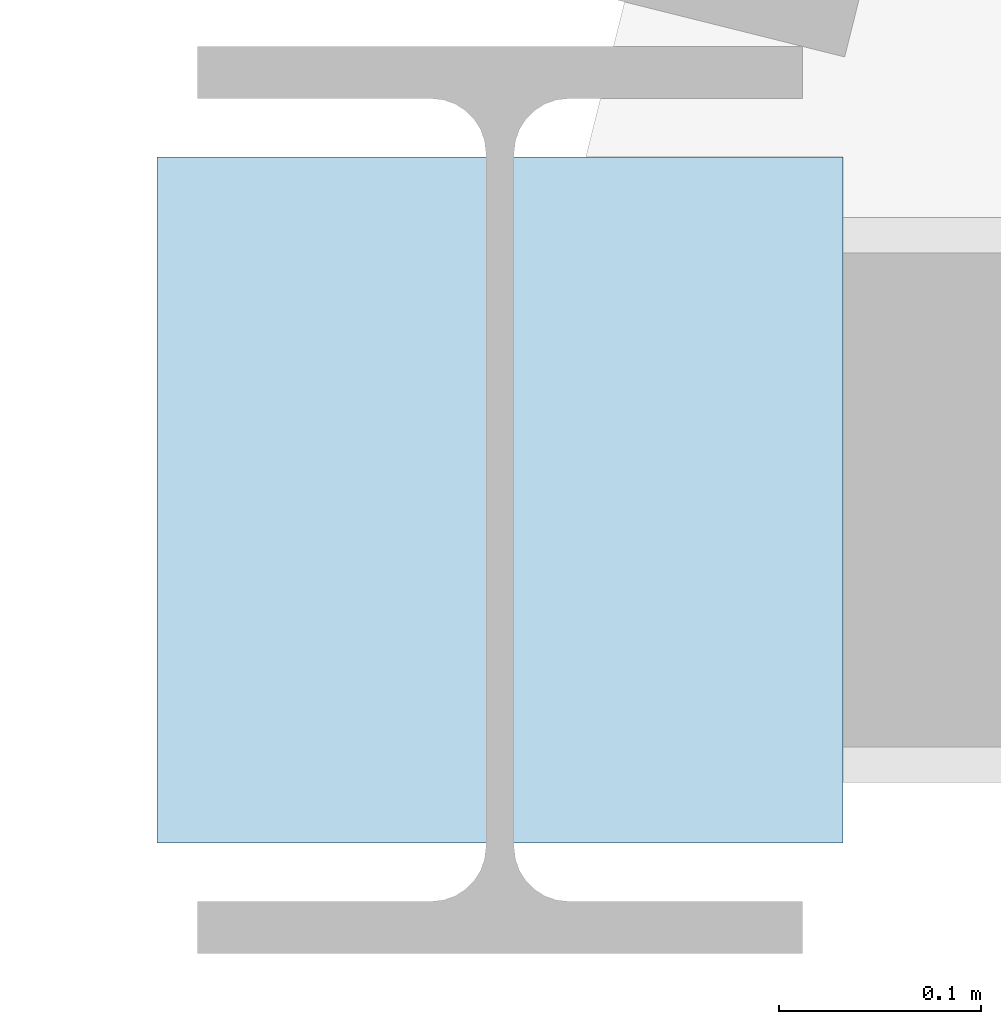
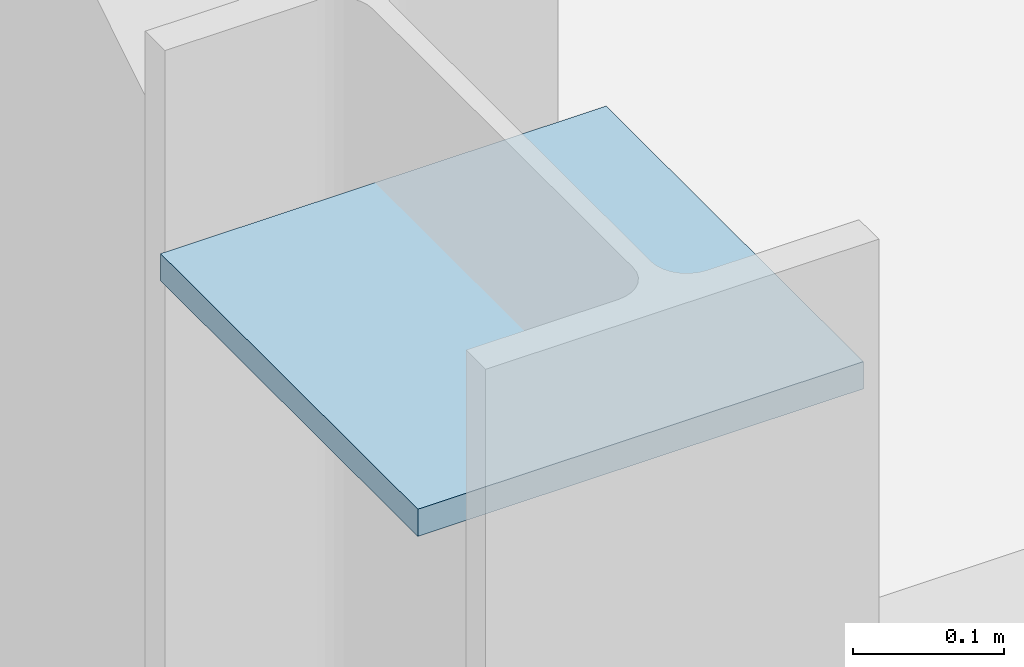
# One storey, part 77 of 103: 1 plate.
"""IFC4 building model written with IfcOpenShell, lengths in metres."""

import ifcopenshell
import ifcopenshell.guid

model = None  # the IFC model being written
_history = None  # IfcOwnerHistory: only IFC2X3 demands one
_inside = {}  # id of a spatial element -> (the spatial element, [elements in it])
_under = {}  # id of a project, library or spatial element -> (it, [spatial elements below it])
_declared = {}  # id of a project -> (the project, [libraries it declares])
_typed = {}  # id of a type object -> (the type object, [elements of that type])
_made_of = {}  # id of a material, layer set ... -> (it, [elements and type objects made of it])


def new_model(schema):
    """Start an empty IFC model of exactly this schema.

    Asked for "IFC4X3", IfcOpenShell would pick the latest addendum, in which some entities
    have other attributes; the version numbers below select the first issue.
    IFC2X3 requires an IfcOwnerHistory on every rooted entity: one is made here for all.
    """
    global model, _history
    if schema == "IFC4X3":
        model = ifcopenshell.file(schema_version=(4, 3, 0, 0))
    else:
        model = ifcopenshell.file(schema=schema)
    _inside.clear()
    _under.clear()
    _declared.clear()
    _typed.clear()
    _made_of.clear()
    _history = None
    if model.schema == "IFC2X3":
        org = make("IfcOrganization", Name="unknown")
        user = make(
            "IfcPersonAndOrganization",
            ThePerson=make("IfcPerson", FamilyName="unknown"),
            TheOrganization=org,
        )
        app = make(
            "IfcApplication",
            ApplicationDeveloper=org,
            Version="unknown",
            ApplicationFullName="unknown",
            ApplicationIdentifier="unknown",
        )
        _history = make(
            "IfcOwnerHistory",
            OwningUser=user,
            OwningApplication=app,
            ChangeAction="ADDED",
            CreationDate=0,
        )
    return model


def make(cls, **values):
    """One entity of the class cls with the attributes given. An attribute that is None is left unset."""
    return model.create_entity(
        cls, **{name: value for name, value in values.items() if value is not None}
    )


def rooted(cls, **values):
    """An entity with a GlobalId (a new one), such as an element, a storey or a relation."""
    return make(cls, GlobalId=ifcopenshell.guid.new(), OwnerHistory=_history, **values)


def si_unit(unit_type, name, prefix=None):
    """IfcSIUnit, for example si_unit("LENGTHUNIT", "METRE", prefix="MILLI")."""
    return make("IfcSIUnit", UnitType=unit_type, Prefix=prefix, Name=name)


def assignment(units):
    """IfcUnitAssignment: the units of a project."""
    return None if units is None else make("IfcUnitAssignment", Units=units)


def point(xyz):
    """IfcCartesianPoint."""
    return None if xyz is None else make("IfcCartesianPoint", Coordinates=xyz)


def direction(xyz):
    """IfcDirection."""
    return None if xyz is None else make("IfcDirection", DirectionRatios=xyz)


def frame(location, z_axis=None, x_axis=None):
    """IfcAxis2Placement3D, a coordinate frame: its origin and axes. An axis left out is left unset."""
    return make(
        "IfcAxis2Placement3D",
        Location=point(location),
        Axis=direction(z_axis),
        RefDirection=direction(x_axis),
    )


def frame_2d(location, x_axis=None):
    """IfcAxis2Placement2D, a coordinate frame in the plane: its origin and x axis."""
    return make(
        "IfcAxis2Placement2D", Location=point(location), RefDirection=direction(x_axis)
    )


def origin():
    """The frame at (0, 0, 0) with its axes left unset."""
    return frame((0.0, 0.0, 0.0))


def origin_2d():
    """The frame at (0, 0) in the plane with its x axis left unset."""
    return frame_2d((0.0, 0.0))


def place(relative_to, where):
    """IfcLocalPlacement: puts the frame where relative to a parent placement (None: the world)."""
    return make(
        "IfcLocalPlacement", PlacementRelTo=relative_to, RelativePlacement=where
    )


def context(
    kind, dimensions, precision=None, world=None, true_north=None, identifier=None
):
    """IfcGeometricRepresentationContext, for example the 3D "Model" context."""
    return make(
        "IfcGeometricRepresentationContext",
        ContextIdentifier=identifier,
        ContextType=kind,
        CoordinateSpaceDimension=dimensions,
        Precision=precision,
        WorldCoordinateSystem=world,
        TrueNorth=true_north,
    )


def subcontext(parent, identifier, kind, view, scale=None):
    """IfcGeometricRepresentationSubContext, for example "Body" below "Model"."""
    return make(
        "IfcGeometricRepresentationSubContext",
        ContextIdentifier=identifier,
        ContextType=kind,
        ParentContext=parent,
        TargetScale=scale,
        TargetView=view,
    )


def project(units=None, contexts=None):
    """IfcProject with its units and contexts."""
    return rooted(
        "IfcProject",
        Name="project",
        RepresentationContexts=contexts,
        UnitsInContext=assignment(units),
    )


def spatial(cls, under=None, at=None, **own):
    """A site, building, storey or space (cls), placed at a placement, below another one or the project."""
    s = rooted(cls, ObjectPlacement=at, **own)
    if under is not None:
        _under.setdefault(under.id(), (under, []))[1].append(s)
    return s


def profile(cls, at=None, kind="AREA", **sizes):
    """A parametric profile (cls). Its sizes go by their IFC names, for example OverallWidth=200.0."""
    return make(cls, ProfileType=kind, Position=at, **sizes)


def rectangle(**sizes):
    """IfcRectangleProfileDef."""
    return profile("IfcRectangleProfileDef", **sizes)


def extrude(swept, where, along, depth):
    """IfcExtrudedAreaSolid: the profile swept, set in the frame where, extruded along a direction by depth."""
    return make(
        "IfcExtrudedAreaSolid",
        SweptArea=swept,
        Position=where,
        ExtrudedDirection=direction(along),
        Depth=depth,
    )


def shape(context_of_items, identifier, shape_type, items):
    """IfcShapeRepresentation: the items that make up one representation, for example the "Body"."""
    return make(
        "IfcShapeRepresentation",
        ContextOfItems=context_of_items,
        RepresentationIdentifier=identifier,
        RepresentationType=shape_type,
        Items=items,
    )


def material(Name=None, Category=None):
    """IfcMaterial."""
    return make("IfcMaterial", Name=Name, Category=Category)


def layer(
    of_material, thickness, ventilated=None, Name=None, Category=None, Priority=None
):
    """IfcMaterialLayer: one layer of a wall or slab, of a material (None: an air gap)."""
    return make(
        "IfcMaterialLayer",
        Material=of_material,
        LayerThickness=thickness,
        IsVentilated=ventilated,
        Name=Name,
        Category=Category,
        Priority=Priority,
    )


def layer_set(layers, Name=None):
    """IfcMaterialLayerSet."""
    return make("IfcMaterialLayerSet", MaterialLayers=layers, LayerSetName=Name)


def made_of(thing, what):
    """Note that an element or type object is made of a material, layer set ...; save() writes the relation."""
    if what is not None:
        _made_of.setdefault(what.id(), (what, []))[1].append(thing)
    return thing


def type_object(cls, material=None, **own):
    """A type object (cls), such as IfcWallType, which elements share."""
    return made_of(rooted(cls, **own), material)


def element(
    cls,
    number,
    at=None,
    inside=None,
    cuts=None,
    type_object=None,
    material=None,
    context=None,
    identifier="Body",
    shape_type=None,
    held_by="IfcProductDefinitionShape",
    body=None,
    shapes=None,
    **own,
):
    """One element of the class cls, such as IfcWall. Its Tag is "e" and its number.

    at: its placement. inside: the storey or other place that contains it. cuts: it is an
    opening in that element (IfcRelVoidsElement). A single representation is given by context,
    identifier, shape_type and body (its items); several are given by shapes. held_by: the class
    of the entity that holds the representations. save() writes the other relations.
    """
    e = rooted(cls, Tag="e%d" % number, ObjectPlacement=at, **own)
    if body is not None:
        shapes = [shape(context, identifier, shape_type, body)]
    if shapes is not None:
        e.Representation = make(held_by, Representations=shapes)
    if inside is not None:
        _inside.setdefault(inside.id(), (inside, []))[1].append(e)
    if cuts is not None:
        rooted(
            "IfcRelVoidsElement", RelatingBuildingElement=cuts, RelatedOpeningElement=e
        )
    if type_object is not None:
        _typed.setdefault(type_object.id(), (type_object, []))[1].append(e)
    return made_of(e, material)


def aggregate(whole, parts):
    """IfcRelAggregates: a whole, such as a stair, and the parts it consists of."""
    return rooted("IfcRelAggregates", RelatingObject=whole, RelatedObjects=parts)


def save(model, path):
    """Write the relations noted so far, then the file.

    IfcRelAggregates (storeys below a building ...), IfcRelContainedInSpatialStructure (elements
    in a storey), IfcRelDefinesByType, IfcRelAssociatesMaterial and IfcRelDeclares: one each for
    every whole, place, type object, material and project.
    """
    for whole, parts in _under.values():
        aggregate(whole, parts)
    for where, things in _inside.values():
        rooted(
            "IfcRelContainedInSpatialStructure",
            RelatedElements=things,
            RelatingStructure=where,
        )
    for kind, things in _typed.values():
        rooted("IfcRelDefinesByType", RelatedObjects=things, RelatingType=kind)
    for what, things in _made_of.values():
        rooted("IfcRelAssociatesMaterial", RelatedObjects=things, RelatingMaterial=what)
    for by, libraries in _declared.values():
        rooted("IfcRelDeclares", RelatingContext=by, RelatedDefinitions=libraries)
    model.write(path)


model = new_model("IFC4")

# Units and contexts
model_context = context("Model", 3, precision=1e-05, world=origin(), true_north=direction((0.0, 1.0)))
body_context = subcontext(model_context, "Body", "Model", "MODEL_VIEW")
ifc_project = project(units=[si_unit("LENGTHUNIT", "METRE"), si_unit("AREAUNIT", "SQUARE_METRE"), si_unit("VOLUMEUNIT", "CUBIC_METRE"), si_unit("PLANEANGLEUNIT", "RADIAN"), si_unit("MASSUNIT", "GRAM", prefix="KILO")], contexts=[model_context])

# Site, building, storey
site_placement = place(None, origin())
site = spatial("IfcSite", under=ifc_project, at=site_placement, CompositionType="ELEMENT")
building_placement = place(site_placement, origin())
building = spatial("IfcBuilding", under=site, at=building_placement, Name="Deido Ridge Mobility Hub", CompositionType="ELEMENT")
storey_placement = place(building_placement, frame((0.0, 0.0, 12.60009765625)))
storey = spatial("IfcBuildingStorey", under=building, at=storey_placement, Name="L03", CompositionType="ELEMENT", Elevation=12.60009765625)

# Plate
ifc_material = material(Name="Steel S355J2 EN 10025-2", Category="steel")
ifc_layer = layer(ifc_material, 0.02197265625, Name="Steel S355J2 EN 10025-2")
ifc_layer_set = layer_set([ifc_layer], Name="Steel S355J2 EN 10025-2")
plate_type = type_object("IfcPlateType", Name="PLT-CAP-22", PredefinedType="USERDEFINED", material=ifc_layer_set)
plate_placement = place(storey_placement, frame((121.5, 0.0, 4.038818359375), z_axis=(0.0, 0.0, 1.0), x_axis=(1.0, 0.0, 0.0)))
element("IfcPlate", 1, at=plate_placement, inside=storey, type_object=plate_type, Name="Diagrid node cap plate EC2 162", ObjectType="END CAP PLATE", PredefinedType="USERDEFINED", context=body_context, shape_type="SweptSolid", body=[
    extrude(rectangle(XDim=0.340087890625, YDim=0.340087890625, at=origin_2d()), origin(), (0.0, 0.0, 1.0), 0.02197265625),
])

save(model, "model.ifc")
